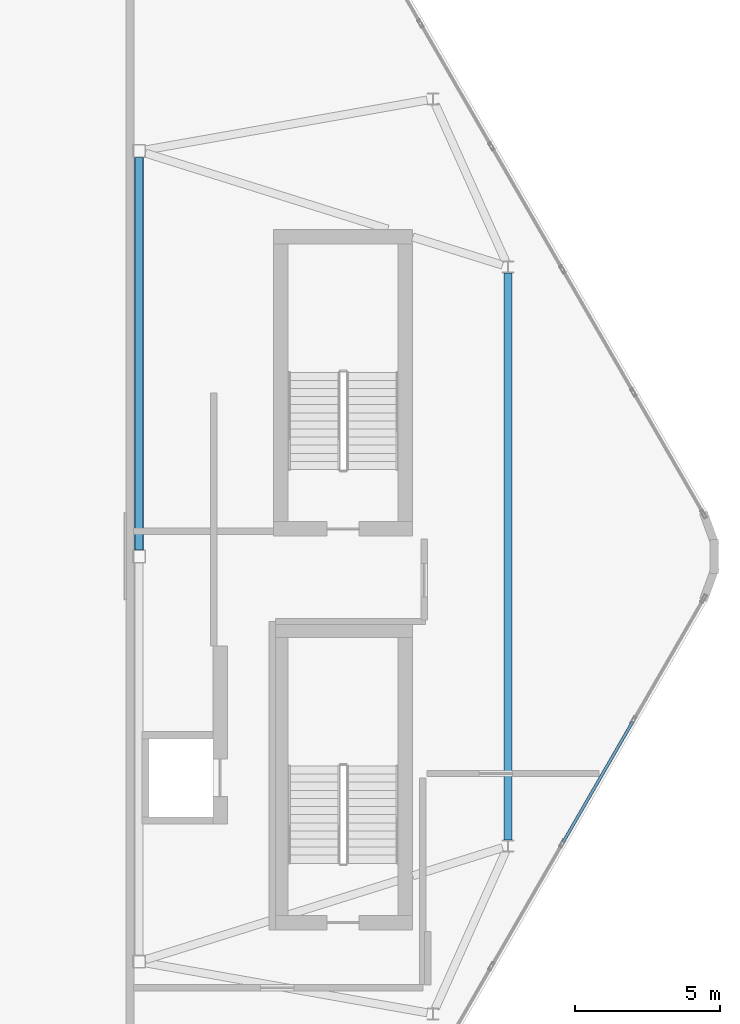
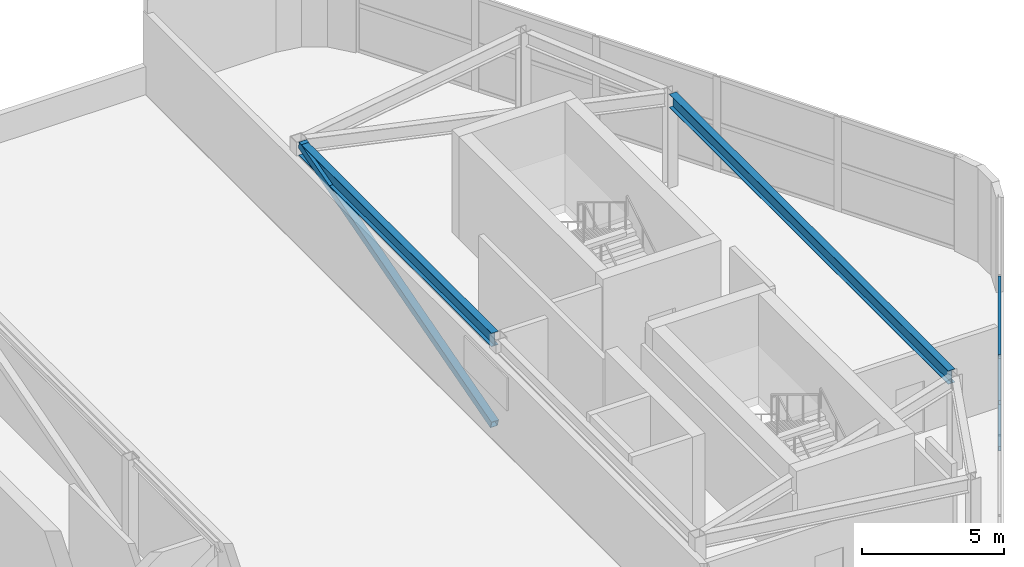
# One storey, part 7 of 14: 4 members, 2 beams, 1 element without a shape of its own.
"""IFC4 building model written with IfcOpenShell, lengths in metres."""

from ifc_helpers import new_model, si_unit, direction, frame, origin, origin_2d, place, context, subcontext, project, spatial, hollow_rectangle, i_section, extrude, material, material_profile, profile_set, type_object, element, aggregate, save


model = new_model("IFC4")

# Units and contexts
model_context = context("Model", 3, precision=1e-05, world=origin(), true_north=direction((0.0, 1.0)))
body_context = subcontext(model_context, "Body", "Model", "MODEL_VIEW")
ifc_project = project(units=[si_unit("LENGTHUNIT", "METRE"), si_unit("AREAUNIT", "SQUARE_METRE"), si_unit("VOLUMEUNIT", "CUBIC_METRE"), si_unit("PLANEANGLEUNIT", "RADIAN"), si_unit("MASSUNIT", "GRAM", prefix="KILO")], contexts=[model_context])

# Site, building, storey
site_placement = place(None, origin())
site = spatial("IfcSite", under=ifc_project, at=site_placement, CompositionType="ELEMENT")
building_placement = place(site_placement, origin())
building = spatial("IfcBuilding", under=site, at=building_placement, Name="Zuhravey Tower", CompositionType="ELEMENT")
storey_placement = place(building_placement, frame((0.0, 0.0, 379.0)))
storey = spatial("IfcBuildingStorey", under=building, at=storey_placement, Name="L96", CompositionType="ELEMENT", Elevation=379.0)

# Member
ifc_material_1 = material(Name="Steel SM355", Category="steel")
ifc_material_profile_1 = material_profile(ifc_material_1, hollow_rectangle(XDim=0.300048828125, YDim=0.300048828125, WallThickness=0.01611328125, at=origin_2d()), Name="RHS-300x300x16")
ifc_profile_set_1 = profile_set([ifc_material_profile_1], Name="Steel SM355")
member_type_1 = type_object("IfcMemberType", Name="Crown Frame Strut RHS300x300", PredefinedType="STRUT", material=ifc_profile_set_1)
member_1_placement = place(storey_placement, frame((43.449951171875, 32.249267578125, 0.10546875), z_axis=(0.0, 0.961870384353, 0.273505692271), x_axis=(-1.0, 0.0, 0.0)))
element("IfcMember", 1, at=member_1_placement, inside=storey, type_object=member_type_1, Name="L96 East Crest Portal Frame Strut CFS1", PredefinedType="STRUT", context=body_context, shape_type="SweptSolid", body=[
    extrude(hollow_rectangle(XDim=0.300048828125, YDim=0.300048828125, WallThickness=0.01611328125, at=origin_2d()), origin(), (0.0, 0.0, 1.0), 14.03662109375),
])

# Beams
ifc_material_profile_2 = material_profile(ifc_material_1, i_section(OverallWidth=0.280029296875, OverallDepth=0.580078125, WebThickness=0.011962890625, FlangeThickness=0.01904296875, at=origin_2d()), Name="H-580x280x12x19")
ifc_profile_set_2 = profile_set([ifc_material_profile_2], Name="Steel SM355")
beam_type = type_object("IfcBeamType", Name="Perimeter Ring Beam H580x280", PredefinedType="BEAM", material=ifc_profile_set_2)
beam_1_placement = place(storey_placement, frame((56.199951171875, 22.2041015625, 3.760009765625), z_axis=(0.0, 1.0, 0.0), x_axis=(-1.0, 0.0, 0.0)))
element("IfcBeam", 2, at=beam_1_placement, inside=storey, type_object=beam_type, Name="L96 PB4 BM-L96-ECR-0-1", PredefinedType="BEAM", context=body_context, shape_type="SweptSolid", body=[
    extrude(i_section(OverallWidth=0.280029296875, OverallDepth=0.580078125, WebThickness=0.011962890625, FlangeThickness=0.01904296875, at=origin_2d()), origin(), (0.0, 0.0, 1.0), 19.591796875),
])
beam_2_placement = place(storey_placement, frame((43.449951171875, 32.22900390625, 3.760009765625), z_axis=(0.0, 1.0, 0.0), x_axis=(-1.0, 0.0, 0.0)))
element("IfcBeam", 3, at=beam_2_placement, inside=storey, type_object=beam_type, Name="L96 PB4 BM-L96-ECR-5-6", PredefinedType="BEAM", context=body_context, shape_type="SweptSolid", body=[
    extrude(i_section(OverallWidth=0.280029296875, OverallDepth=0.580078125, WebThickness=0.011962890625, FlangeThickness=0.01904296875, at=origin_2d()), origin(), (0.0, 0.0, 1.0), 13.5419921875),
])

# Curtain wall, members
ifc_material_2 = material(Name="Thermally broken anodised aluminium", Category="aluminium")
curtain_wall_type = type_object("IfcCurtainWallType", Name="Split-Top Crown Screened Curtain Wall CW6", PredefinedType="NOTDEFINED", material=ifc_material_2)
curtain_wall_placement = place(storey_placement, origin())
curtain_wall = element("IfcCurtainWall", 4, at=curtain_wall_placement, inside=storey, type_object=curtain_wall_type, Name="L96 CW6 CW6-L96-EAST-08", PredefinedType="NOTDEFINED")
ifc_material_3 = material(Name="Anodised aluminium", Category="aluminium")
ifc_material_profile_3 = material_profile(ifc_material_3, hollow_rectangle(XDim=0.10009765625, YDim=0.179931640625, WallThickness=0.006103515625, at=origin_2d()), Name="ALU-RHS-100x180x6")
ifc_profile_set_3 = profile_set([ifc_material_profile_3], Name="Anodised aluminium")
member_type_2 = type_object("IfcMemberType", Name="Tall-Storey Transom 100x180", PredefinedType="USERDEFINED", material=ifc_profile_set_3)
member_2_placement = place(storey_placement, frame((60.503173828125, 26.29248046875, 0.050048828125), z_axis=(-0.50003466983, -0.866005386223, 0.0), x_axis=(0.866005386223, -0.50003466983, 0.0)))
member_2 = element("IfcMember", 5, at=member_2_placement, type_object=member_type_2, Name="CW6 transom 2.1", ObjectType="TRANSOM", PredefinedType="USERDEFINED", context=body_context, shape_type="SweptSolid", body=[
    extrude(hollow_rectangle(XDim=0.10009765625, YDim=0.179931640625, WallThickness=0.006103515625, at=origin_2d()), origin(), (0.0, 0.0, 1.0), 4.805908203125),
])
member_3_placement = place(storey_placement, frame((60.503173828125, 26.29248046875, 2.02490234375), z_axis=(-0.50003466983, -0.866005386223, 0.0), x_axis=(0.866005386223, -0.50003466983, 0.0)))
member_3 = element("IfcMember", 6, at=member_3_placement, type_object=member_type_2, Name="CW6 transom 2.2", ObjectType="TRANSOM", PredefinedType="USERDEFINED", context=body_context, shape_type="SweptSolid", body=[
    extrude(hollow_rectangle(XDim=0.10009765625, YDim=0.179931640625, WallThickness=0.006103515625, at=origin_2d()), origin(), (0.0, 0.0, 1.0), 4.805908203125),
])
member_4_placement = place(storey_placement, frame((60.503173828125, 26.29248046875, 4.0), z_axis=(-0.50003466983, -0.866005386223, 0.0), x_axis=(0.866005386223, -0.50003466983, 0.0)))
member_4 = element("IfcMember", 7, at=member_4_placement, type_object=member_type_2, Name="CW6 transom 2.3", ObjectType="TRANSOM", PredefinedType="USERDEFINED", context=body_context, shape_type="SweptSolid", body=[
    extrude(hollow_rectangle(XDim=0.10009765625, YDim=0.179931640625, WallThickness=0.006103515625, at=origin_2d()), origin(), (0.0, 0.0, 1.0), 4.805908203125),
])
aggregate(curtain_wall, [member_2, member_3, member_4])

save(model, "model.ifc")
